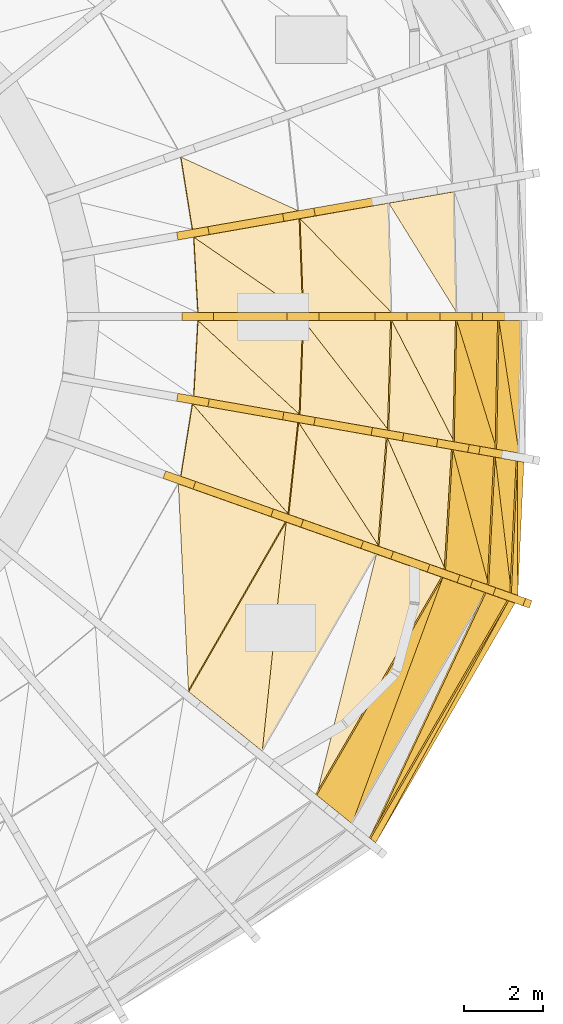
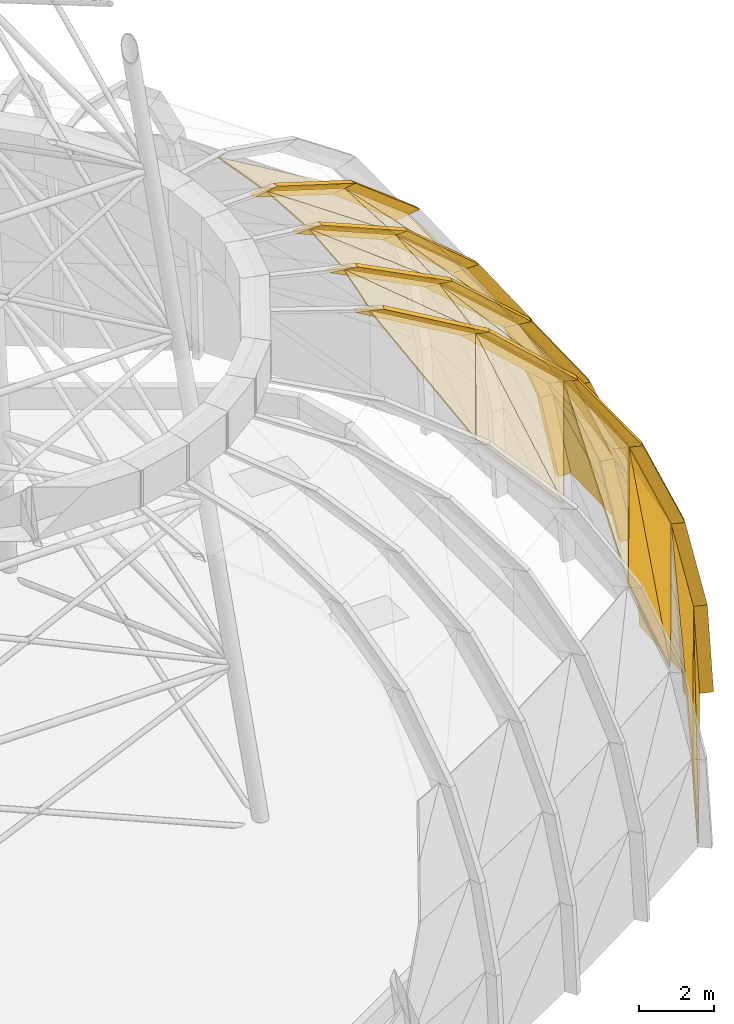
# One storey, part 23 of 27: 37 coverings, 18 shading devices.
"""IFC4 building model written with IfcOpenShell, lengths in metres."""

from ifc_helpers import new_model, si_unit, direction, frame, origin, place, context, subcontext, project, spatial, polyline, outline, extrude, material, layer, layer_set, type_object, element, save


model = new_model("IFC4")

# Units and contexts
model_context = context("Model", 3, precision=1e-05, world=origin(), true_north=direction((0.0, 1.0)))
body_context = subcontext(model_context, "Body", "Model", "MODEL_VIEW")
ifc_project = project(units=[si_unit("LENGTHUNIT", "METRE"), si_unit("AREAUNIT", "SQUARE_METRE"), si_unit("VOLUMEUNIT", "CUBIC_METRE"), si_unit("PLANEANGLEUNIT", "RADIAN"), si_unit("MASSUNIT", "GRAM", prefix="KILO")], contexts=[model_context])

# Site, building, storey
site_placement = place(None, origin())
site = spatial("IfcSite", under=ifc_project, at=site_placement, CompositionType="ELEMENT")
building_placement = place(site_placement, origin())
building = spatial("IfcBuilding", under=site, at=building_placement, Name="Ayvan Gate Tower", CompositionType="ELEMENT")
storey_placement = place(building_placement, frame((0.0, 0.0, 267.699951171875)))
storey = spatial("IfcBuildingStorey", under=building, at=storey_placement, Name="Roof", CompositionType="ELEMENT", Elevation=267.699951171875)

# Shading devices
ifc_material_1 = material(Name="Bronze anodised aluminium", Category="aluminium")
ifc_layer_1 = layer(ifc_material_1, 0.199951171875)
ifc_layer_set_1 = layer_set([ifc_layer_1], Name="Bronze anodised aluminium")
shading_device_type = type_object("IfcShadingDeviceType", Name="Crown frame rib 800 x 200", PredefinedType="USERDEFINED", material=ifc_layer_set_1)
shading_device_1_placement = place(storey_placement, frame((19.670654296875, -7.06982421875, 0.0), z_axis=(-0.333889468927, -0.942612088465, 0.000522704075), x_axis=(0.94261221723, -0.333889514553, -2.6636e-08)))
element("IfcShadingDevice", 1, at=shading_device_1_placement, inside=storey, type_object=shading_device_type, Name="CROWN FRAME rib FD01.1.1", ObjectType="FIN", PredefinedType="USERDEFINED", context=body_context, shape_type="SweptSolid", body=[
    extrude(outline(polyline([(0.0, 0.0), (0.7998197401679006, 0.0), (0.6301440088560943, 2.870117596370955), (-0.1699058612476535, 2.8701175537560824), (0.0, 0.0)])), origin(), (0.0, 0.0, -1.0), 0.199951171875),
])
shading_device_2_placement = place(storey_placement, frame((19.510498046875, -7.01318359375, 2.8701171875), z_axis=(-0.33370586111, -0.94267709645, 0.000538599248), x_axis=(0.942677233167, -0.333705909551, -7.7468e-08)))
element("IfcShadingDevice", 2, at=shading_device_2_placement, inside=storey, type_object=shading_device_type, Name="CROWN FRAME rib FD02.1.1", ObjectType="FIN", PredefinedType="USERDEFINED", context=body_context, shape_type="SweptSolid", body=[
    extrude(outline(polyline([(0.0, 0.0), (0.8000498628663528, 0.0), (0.19371017439672117, 2.776855886524238), (-0.6062582173003077, 2.7768557625741894), (0.0, 0.0)])), origin(), (0.0, 0.0, -1.0), 0.199951171875),
])
shading_device_3_placement = place(storey_placement, frame((18.93896484375, -6.810791015625, 5.64697265625), z_axis=(-0.333705858443, -0.942677088917, 0.000553236739), x_axis=(0.942677233166, -0.333705909554, -7.9573e-08)))
element("IfcShadingDevice", 3, at=shading_device_3_placement, inside=storey, type_object=shading_device_type, Name="CROWN FRAME rib FD03.1.1", ObjectType="FIN", PredefinedType="USERDEFINED", context=body_context, shape_type="SweptSolid", body=[
    extrude(outline(polyline([(0.0, 0.0), (0.8000498628663529, 0.0), (-0.35067086240318274, 2.660156629194281), (-1.150639254100211, 2.660156501875647), (0.0, 0.0)])), origin(), (0.0, 0.0, -1.0), 0.199951171875),
])
shading_device_4_placement = place(storey_placement, frame((17.854248046875, -6.4267578125, 8.30712890625), z_axis=(-0.333705841268, -0.942677040399, 0.000639537448), x_axis=(0.942677233161, -0.333705909568, -9.1986e-08)))
element("IfcShadingDevice", 4, at=shading_device_4_placement, inside=storey, type_object=shading_device_type, Name="CROWN FRAME rib FD04.1.1", ObjectType="FIN", PredefinedType="USERDEFINED", context=body_context, shape_type="SweptSolid", body=[
    extrude(outline(polyline([(0.0, 0.0), (0.8000498628663538, 0.0), (-0.9745870306638214, 2.3798832095474722), (-1.774555422360847, 2.379883062368103), (0.0, 0.0)])), origin(), (0.0, 0.0, -1.0), 0.199951171875),
])
shading_device_5_placement = place(storey_placement, frame((16.181396484375, -5.834716796875, 10.68701171875), z_axis=(-0.33370580561, -0.94267693967, 0.000789123494), x_axis=(0.94267723321, -0.333705909428, 1.13513e-07)))
element("IfcShadingDevice", 5, at=shading_device_5_placement, inside=storey, type_object=shading_device_type, Name="CROWN FRAME rib FD05.1.1", ObjectType="FIN", PredefinedType="USERDEFINED", context=body_context, shape_type="SweptSolid", body=[
    extrude(outline(polyline([(0.0, 0.0), (0.7999683916970411, -2.710505431213761e-20), (-1.6039061211299315, 1.865967559922905), (-2.4039559839962665, 1.865967741545618), (0.0, 0.0)])), origin(), (0.0, 0.0, -1.0), 0.199951171875),
])
shading_device_6_placement = place(storey_placement, frame((13.915283203125, -5.032470703125, 12.552978515625), z_axis=(-0.333569785642, -0.942723758324, 0.001764539042), x_axis=(0.942725225959, -0.333570304944, 0.0)))
element("IfcShadingDevice", 6, at=shading_device_6_placement, inside=storey, type_object=shading_device_type, Name="CROWN FRAME rib FD06.1.1", ObjectType="FIN", PredefinedType="USERDEFINED", context=body_context, shape_type="SweptSolid", body=[
    extrude(outline(polyline([(0.0, 0.0), (0.7999683999734714, 0.0), (-2.0774059264737197, 1.120118931301408), (-2.8773743264471907, 1.120118931301408), (0.0, 0.0)])), origin(), (0.0, 0.0, -1.0), 0.199951171875),
])
shading_device_7_placement = place(storey_placement, frame((19.716796875, -3.5625, 2.8701171875), z_axis=(-0.172905944212, -0.984938185299, 0.00055280829), x_axis=(0.984938335804, -0.172905970586, 8.3095e-08)))
element("IfcShadingDevice", 7, at=shading_device_7_placement, inside=storey, type_object=shading_device_type, Name="CROWN FRAME rib FD02.1.2", ObjectType="FIN", PredefinedType="USERDEFINED", context=body_context, shape_type="SweptSolid", body=[
    extrude(outline(polyline([(0.0, 0.0), (0.7998683566870421, -1.3552527156068805e-20), (0.22901421805486094, 2.7768558740195175), (-0.5708963520039065, 2.7768560069532198), (0.0, 0.0)])), origin(), (0.0, 0.0, -1.0), 0.199951171875),
])
shading_device_8_placement = place(storey_placement, frame((19.154541015625, -3.463623046875, 5.64697265625), z_axis=(-0.173053992386, -0.984912228268, 0.000467254564), x_axis=(0.984912335785, -0.173054011277, 0.0)))
element("IfcShadingDevice", 8, at=shading_device_8_placement, inside=storey, type_object=shading_device_type, Name="CROWN FRAME rib FD03.1.2", ObjectType="FIN", PredefinedType="USERDEFINED", context=body_context, shape_type="SweptSolid", body=[
    extrude(outline(polyline([(0.0, 0.0), (0.7999105790945789, 0.0), (-0.28354588040161405, 2.660156540391785), (-1.0834564594961928, 2.660156540391785), (0.0, 0.0)])), origin(), (0.0, 0.0, -1.0), 0.199951171875),
])
shading_device_9_placement = place(storey_placement, frame((18.08740234375, -3.2763671875, 8.30712890625), z_axis=(-0.172879948893, -0.984942692059, 0.000645469501), x_axis=(0.984942897225, -0.172879984979, -1.14048e-07)))
element("IfcShadingDevice", 9, at=shading_device_9_placement, inside=storey, type_object=shading_device_type, Name="CROWN FRAME rib FD04.1.2", ObjectType="FIN", PredefinedType="USERDEFINED", context=body_context, shape_type="SweptSolid", body=[
    extrude(outline(polyline([(0.0, 0.0), (0.7999105666083078, -1.3552527156068805e-20), (-0.8710472998850983, 2.3798832089255724), (-1.6711561240403414, 2.3798830264470636), (0.0, 0.0)])), origin(), (0.0, 0.0, -1.0), 0.199951171875),
])
shading_device_10_placement = place(storey_placement, frame((16.44140625, -2.987548828125, 10.68701171875), z_axis=(-0.172731866087, -0.984968370663, 0.001005600561), x_axis=(0.984968868684, -0.172731953397, 2.6501e-08)))
element("IfcShadingDevice", 10, at=shading_device_10_placement, inside=storey, type_object=shading_device_type, Name="CROWN FRAME rib FD05.1.2", ObjectType="FIN", PredefinedType="USERDEFINED", context=body_context, shape_type="SweptSolid", body=[
    extrude(outline(polyline([(0.0, 0.0), (0.8001088363606063, 2.710505431213761e-20), (-1.4634839982143975, 1.8659677791223548), (-2.2633523636597976, 1.86596782152305), (0.0, 0.0)])), origin(), (0.0, 0.0, -1.0), 0.199951171875),
])
shading_device_11_placement = place(storey_placement, frame((14.212158203125, -2.59619140625, 12.552978515625), z_axis=(-0.173027907781, -0.984916353372, 0.001058296023), x_axis=(0.984916904915, -0.173028004705, -2.7944e-08)))
element("IfcShadingDevice", 11, at=shading_device_11_placement, inside=storey, type_object=shading_device_type, Name="CROWN FRAME rib FD06.1.2", ObjectType="FIN", PredefinedType="USERDEFINED", context=body_context, shape_type="SweptSolid", body=[
    extrude(outline(polyline([(0.0, 0.0), (0.7999105788157221, 0.0), (-1.909375527405906, 1.1201177614047833), (-2.709526564450367, 1.12011771669229), (0.0, 0.0)])), origin(), (0.0, 0.0, -1.0), 0.199951171875),
])
shading_device_12_placement = place(storey_placement, frame((19.8017578125, -0.099853515625, 2.8701171875), z_axis=(0.0, -0.999999860862, 0.000527518829), x_axis=(1.0, 0.0, 0.0)))
element("IfcShadingDevice", 12, at=shading_device_12_placement, inside=storey, type_object=shading_device_type, Name="CROWN FRAME rib FD02.1.3", ObjectType="FIN", PredefinedType="USERDEFINED", context=body_context, shape_type="SweptSolid", body=[
    extrude(outline(polyline([(0.0, 0.0), (0.800048828125, 0.0), (0.240966796875, 2.776855855116357), (-0.558837890625, 2.776855855116357), (0.0, 0.0)])), origin(), (0.0, 0.0, -1.0), 0.199951171875),
])
shading_device_13_placement = place(storey_placement, frame((19.242919921875, -0.099853515625, 5.64697265625), z_axis=(0.0, -0.999999848386, 0.000550660709), x_axis=(1.0, 0.0, 0.0)))
element("IfcShadingDevice", 13, at=shading_device_13_placement, inside=storey, type_object=shading_device_type, Name="CROWN FRAME rib FD03.1.3", ObjectType="FIN", PredefinedType="USERDEFINED", context=body_context, shape_type="SweptSolid", body=[
    extrude(outline(polyline([(0.0, 0.0), (0.7998046875, 0.0), (-0.260986328125, 2.6601566533159797), (-1.06103515625, 2.6601566533159797), (0.0, 0.0)])), origin(), (0.0, 0.0, -1.0), 0.199951171875),
])
shading_device_14_placement = place(storey_placement, frame((18.181884765625, -0.099853515625, 8.30712890625), z_axis=(0.0, -0.999999810573, 0.000615510757), x_axis=(1.0, 0.0, 0.0)))
element("IfcShadingDevice", 14, at=shading_device_14_placement, inside=storey, type_object=shading_device_type, Name="CROWN FRAME rib FD04.1.3", ObjectType="FIN", PredefinedType="USERDEFINED", context=body_context, shape_type="SweptSolid", body=[
    extrude(outline(polyline([(0.0, 0.0), (0.800048828125, 0.0), (-0.836181640625, 2.3798832633135856), (-1.63623046875, 2.3798832633135856), (0.0, 0.0)])), origin(), (0.0, 0.0, -1.0), 0.199951171875),
])
shading_device_15_placement = place(storey_placement, frame((16.545654296875, -0.099853515625, 10.68701171875), z_axis=(0.0, -0.999999691862, 0.000785031814), x_axis=(1.0, 0.0, 0.0)))
element("IfcShadingDevice", 15, at=shading_device_15_placement, inside=storey, type_object=shading_device_type, Name="CROWN FRAME rib FD05.1.3", ObjectType="FIN", PredefinedType="USERDEFINED", context=body_context, shape_type="SweptSolid", body=[
    extrude(outline(polyline([(0.0, 0.0), (0.800048828125, 0.0), (-1.416259765625, 1.8659673718495613), (-2.21630859375, 1.8659673718495613), (0.0, 0.0)])), origin(), (0.0, 0.0, -1.0), 0.199951171875),
])
shading_device_16_placement = place(storey_placement, frame((14.329345703125, -0.099853515625, 12.552978515625), z_axis=(0.0, -0.999999144884, 0.001307758254), x_axis=(1.0, 0.0, 0.0)))
element("IfcShadingDevice", 16, at=shading_device_16_placement, inside=storey, type_object=shading_device_type, Name="CROWN FRAME rib FD06.1.3", ObjectType="FIN", PredefinedType="USERDEFINED", context=body_context, shape_type="SweptSolid", body=[
    extrude(outline(polyline([(0.0, 0.0), (0.800048828125, 0.0), (-1.85302734375, 1.1201181453311617), (-2.653076171875, 1.1201181453311617), (0.0, 0.0)])), origin(), (0.0, 0.0, -1.0), 0.199951171875),
])
shading_device_17_placement = place(storey_placement, frame((16.47607421875, 2.790771484375, 10.68701171875), z_axis=(0.172731923759, -0.984968699525, 0.000586063141), x_axis=(0.984968868677, 0.172731953432, 1.5449e-08)))
element("IfcShadingDevice", 17, at=shading_device_17_placement, inside=storey, type_object=shading_device_type, Name="CROWN FRAME rib FD05.1.4", ObjectType="FIN", PredefinedType="USERDEFINED", context=body_context, shape_type="SweptSolid", body=[
    extrude(outline(polyline([(0.0, 0.0), (0.7998683654454014, 1.3552527156068805e-20), (-1.4634589100218, 1.8659671399363018), (-2.2635677463824058, 1.8659671646548193), (0.0, 0.0)])), origin(), (0.0, 0.0, -1.0), 0.199951171875),
])
shading_device_18_placement = place(storey_placement, frame((14.24658203125, 2.3994140625, 12.552978515625), z_axis=(0.17273188863, -0.984968499208, 0.00086615117), x_axis=(0.984968868682, 0.172731953403, -2.2826e-08)))
element("IfcShadingDevice", 18, at=shading_device_18_placement, inside=storey, type_object=shading_device_type, Name="CROWN FRAME rib FD06.1.4", ObjectType="FIN", PredefinedType="USERDEFINED", context=body_context, shape_type="SweptSolid", body=[
    extrude(outline(polyline([(0.0, 0.0), (0.8001088363606063, 0.0), (-1.9093921411837125, 1.1201175640826506), (-2.709260506629113, 1.1201175275617765), (0.0, 0.0)])), origin(), (0.0, 0.0, -1.0), 0.199951171875),
])

# Coverings
ifc_material_2 = material(Name="Pale metal cladding")
ifc_layer_2 = layer(ifc_material_2, 0.0400390625)
ifc_layer_set_2 = layer_set([ifc_layer_2], Name="Pale metal cladding")
covering_type = type_object("IfcCoveringType", Name="Dome cladding panel 40", PredefinedType="CLADDING", material=ifc_layer_set_2)
covering_1_placement = place(storey_placement, frame((16.558837890625, -13.24755859375, 0.001220703125), z_axis=(0.863181640334, -0.501543596733, 0.05806441566), x_axis=(0.502391211813, 0.864640428324, 0.0)))
element("IfcCovering", 19, at=covering_1_placement, inside=storey, type_object=covering_type, Name="Dome cladding panel 13.1A", PredefinedType="CLADDING", context=body_context, shape_type="SweptSolid", body=[
    extrude(outline(polyline([(0.0, 0.0), (6.978831303543279, 2.7755575615628914e-17), (6.947343985286933, 2.8749677221816574), (0.0, 0.0)])), origin(), (0.0, 0.0, -1.0), 0.0400390625),
])
covering_2_placement = place(storey_placement, frame((16.558837890625, -13.24755859375, 0.001220703125), z_axis=(0.863242585166, -0.501465945558, 0.057828579455), x_axis=(0.445016025785, 0.810088275175, 0.381729908729)))
element("IfcCovering", 20, at=covering_2_placement, inside=storey, type_object=covering_type, Name="Dome cladding panel 13.1B", PredefinedType="CLADDING", context=body_context, shape_type="SweptSolid", body=[
    extrude(outline(polyline([(0.0, 0.0), (7.518711848015518, 0.0), (1.1230118262559434, 2.6466424955671455), (0.0, 0.0)])), origin(), (0.0, 0.0, -1.0), 0.0400390625),
])
covering_3_placement = place(storey_placement, frame((16.427490234375, -13.1416015625, 2.874267578125), z_axis=(0.845444321401, -0.491126762434, 0.209805630601), x_axis=(0.50230654177, 0.864689619514, 0.0)))
element("IfcCovering", 21, at=covering_3_placement, inside=storey, type_object=covering_type, Name="Dome cladding panel 13.2A", PredefinedType="CLADDING", context=body_context, shape_type="SweptSolid", body=[
    extrude(outline(polyline([(0.0, 0.0), (6.921682979426124, 0.0), (6.809604874028896, 2.8400665046036786), (0.0, 0.0)])), origin(), (0.0, 0.0, -1.0), 0.0400390625),
])
covering_4_placement = place(storey_placement, frame((15.95947265625, -12.763671875, 5.65478515625), z_axis=(0.795929068269, -0.461978662913, 0.391244978623), x_axis=(0.501994356023, 0.864870895869, 0.0)))
element("IfcCovering", 22, at=covering_4_placement, inside=storey, type_object=covering_type, Name="Dome cladding panel 13.3A", PredefinedType="CLADDING", context=body_context, shape_type="SweptSolid", body=[
    extrude(outline(polyline([(0.0, 0.0), (6.717833403230836, 2.220446049250313e-16), (6.505450833746291, 2.890573809664512), (0.0, 0.0)])), origin(), (0.0, 0.0, -1.0), 0.0400390625),
])
covering_5_placement = place(storey_placement, frame((15.95947265625, -12.763671875, 5.65478515625), z_axis=(0.796821984124, -0.461678735732, 0.389778745687), x_axis=(0.321349154479, 0.870111995547, 0.373684139509)))
element("IfcCovering", 23, at=covering_5_placement, inside=storey, type_object=covering_type, Name="Dome cladding panel 13.3B", PredefinedType="CLADDING", context=body_context, shape_type="SweptSolid", body=[
    extrude(outline(polyline([(0.0, 0.0), (7.11872934584598, 0.0), (1.332537487370208, 2.568905908044922), (0.0, 0.0)])), origin(), (0.0, 0.0, -1.0), 0.0400390625),
])
covering_6_placement = place(storey_placement, frame((15.0712890625, -12.046142578125, 8.31884765625), z_axis=(0.69786895953, -0.404345343579, 0.591171513564), x_axis=(0.501329630795, 0.865256378935, 0.0)))
element("IfcCovering", 24, at=covering_6_placement, inside=storey, type_object=covering_type, Name="Dome cladding panel 13.4A", PredefinedType="CLADDING", context=body_context, shape_type="SweptSolid", body=[
    extrude(outline(polyline([(0.0, 0.0), (6.330820941037537, 2.220446049250313e-16), (6.004649394428012, 2.9507098095014426), (0.0, 0.0)])), origin(), (0.0, 0.0, -1.0), 0.0400390625),
])
covering_7_placement = place(storey_placement, frame((13.700927734375, -10.939697265625, 10.70263671875), z_axis=(0.536615283301, -0.309954095492, 0.784839153213), x_axis=(0.500168359116, 0.865928179781, 0.0)))
element("IfcCovering", 25, at=covering_7_placement, inside=storey, type_object=covering_type, Name="Dome cladding panel 13.5A", PredefinedType="CLADDING", context=body_context, shape_type="SweptSolid", body=[
    extrude(outline(polyline([(0.0, 0.0), (5.7343972488927974, 0.0), (5.295557290304376, 3.0110831395096103), (0.0, 0.0)])), origin(), (0.0, 0.0, -1.0), 0.0400390625),
])
covering_8_placement = place(storey_placement, frame((13.700927734375, -10.939697265625, 10.70263671875), z_axis=(0.539068319443, -0.309698524077, 0.783257410535), x_axis=(0.098870416848, 0.946783432358, 0.306309929458)))
element("IfcCovering", 26, at=covering_8_placement, inside=storey, type_object=covering_type, Name="Dome cladding panel 13.5B", PredefinedType="CLADDING", context=body_context, shape_type="SweptSolid", body=[
    extrude(outline(polyline([(0.0, 0.0), (6.091760721493818, 0.0), (1.80520732577896, 2.427008317315837), (0.0, 0.0)])), origin(), (0.0, 0.0, -1.0), 0.0400390625),
])
covering_9_placement = place(storey_placement, frame((11.844970703125, -9.44091796875, 12.571533203125), z_axis=(0.319075195052, -0.183310933722, 0.929832308258), x_axis=(0.498149831891, 0.867090966962, 0.0)))
element("IfcCovering", 27, at=covering_9_placement, inside=storey, type_object=covering_type, Name="Dome cladding panel 13.6A", PredefinedType="CLADDING", context=body_context, shape_type="SweptSolid", body=[
    extrude(outline(polyline([(0.0, 0.0), (4.925942487142418, 0.0), (4.407556557386187, 3.0439329358153833), (0.0, 0.0)])), origin(), (0.0, 0.0, -1.0), 0.0400390625),
])
covering_10_placement = place(storey_placement, frame((20.13427734375, -7.015869140625, 0.001220703125), z_axis=(0.997426787412, -0.045789472743, 0.055164553275), x_axis=(0.045859303774, 0.998947908681, 0.0)))
element("IfcCovering", 28, at=covering_10_placement, inside=storey, type_object=covering_type, Name="Dome cladding panel 14.1A", PredefinedType="CLADDING", context=body_context, shape_type="SweptSolid", body=[
    extrude(outline(polyline([(0.0, 0.0), (3.3592471253653264, 0.0), (3.3795844941999205, 2.874494246900421), (0.0, 0.0)])), origin(), (0.0, 0.0, -1.0), 0.0400390625),
])
covering_11_placement = place(storey_placement, frame((20.13427734375, -7.015869140625, 0.001220703125), z_axis=(0.997300173512, -0.046915412536, 0.056491662926), x_axis=(-0.000770385333, 0.762571424799, 0.646903569774)))
element("IfcCovering", 29, at=covering_11_placement, inside=storey, type_object=covering_type, Name="Dome cladding panel 14.1B", PredefinedType="CLADDING", context=body_context, shape_type="SweptSolid", body=[
    extrude(outline(polyline([(0.0, 0.0), (4.4367001846981, -4.440892098500626e-16), (1.9000047703160503, 2.1578541623298633), (0.0, 0.0)])), origin(), (0.0, 0.0, -1.0), 0.0400390625),
])
covering_12_placement = place(storey_placement, frame((19.973876953125, -6.959228515625, 2.8740234375), z_axis=(0.978734947432, -0.046042059394, 0.199895051071), x_axis=(0.046990452957, 0.998895338527, 0.0)))
element("IfcCovering", 30, at=covering_12_placement, inside=storey, type_object=covering_type, Name="Dome cladding panel 14.2A", PredefinedType="CLADDING", context=body_context, shape_type="SweptSolid", body=[
    extrude(outline(polyline([(0.0, 0.0), (3.3303390534945883, -6.938893903907228e-18), (3.4024307803381766, 2.8340542971067357), (0.0, 0.0)])), origin(), (0.0, 0.0, -1.0), 0.0400390625),
])
covering_13_placement = place(storey_placement, frame((19.973876953125, -6.959228515625, 2.874267578125), z_axis=(0.97750507755, -0.050204411982, 0.204849555484), x_axis=(-0.091687732776, 0.773529098521, 0.627093368965)))
element("IfcCovering", 31, at=covering_13_placement, inside=storey, type_object=covering_type, Name="Dome cladding panel 14.2B", PredefinedType="CLADDING", context=body_context, shape_type="SweptSolid", body=[
    extrude(outline(polyline([(0.0, 0.0), (4.4281371900542785, 0.0), (1.9503067831319343, 2.067569274280975), (0.0, 0.0)])), origin(), (0.0, 0.0, -1.0), 0.0400390625),
])
covering_14_placement = place(storey_placement, frame((19.4013671875, -6.7568359375, 5.654541015625), z_axis=(0.925893458201, -0.047553652349, 0.374779874339), x_axis=(0.051292140222, 0.998683691842, 0.0)))
element("IfcCovering", 32, at=covering_14_placement, inside=storey, type_object=covering_type, Name="Dome cladding panel 14.3A", PredefinedType="CLADDING", context=body_context, shape_type="SweptSolid", body=[
    extrude(outline(polyline([(0.0, 0.0), (3.227148312275051, 0.0), (3.359665678101455, 2.8692876497799302), (0.0, 0.0)])), origin(), (0.0, 0.0, -1.0), 0.0400390625),
])
covering_15_placement = place(storey_placement, frame((19.4013671875, -6.757080078125, 5.654541015625), z_axis=(0.921695401562, -0.055765694673, 0.383885105255), x_axis=(-0.204069272648, 0.771904595079, 0.602095530674)))
element("IfcCovering", 33, at=covering_15_placement, inside=storey, type_object=covering_type, Name="Dome cladding panel 14.3B", PredefinedType="CLADDING", context=body_context, shape_type="SweptSolid", body=[
    extrude(outline(polyline([(0.0, 0.0), (4.41816308954214, -2.220446049250313e-16), (2.119462550941033, 1.9769678298085178), (0.0, 0.0)])), origin(), (0.0, 0.0, -1.0), 0.0400390625),
])
covering_16_placement = place(storey_placement, frame((18.314453125, -6.372802734375, 8.318603515625), z_axis=(0.818661086861, -0.049531769534, 0.572136896788), x_axis=(0.060392950139, 0.99817467989, 0.0)))
element("IfcCovering", 34, at=covering_16_placement, inside=storey, type_object=covering_type, Name="Dome cladding panel 14.4A", PredefinedType="CLADDING", context=body_context, shape_type="SweptSolid", body=[
    extrude(outline(polyline([(0.0, 0.0), (3.031901378056816, 1.3877787807814457e-17), (3.220800735826813, 2.9017365093670744), (0.0, 0.0)])), origin(), (0.0, 0.0, -1.0), 0.0400390625),
])
covering_17_placement = place(storey_placement, frame((18.314208984375, -6.373046875, 8.31884765625), z_axis=(0.809081625617, -0.062532803845, 0.584359967427), x_axis=(-0.337391401716, 0.764720054064, 0.54897202202)))
element("IfcCovering", 35, at=covering_17_placement, inside=storey, type_object=covering_type, Name="Dome cladding panel 14.4B", PredefinedType="CLADDING", context=body_context, shape_type="SweptSolid", body=[
    extrude(outline(polyline([(0.0, 0.0), (4.335162297964905, 2.220446049250313e-16), (2.3239095209398712, 1.847522037175025), (0.0, 0.0)])), origin(), (0.0, 0.0, -1.0), 0.0400390625),
])
covering_18_placement = place(storey_placement, frame((16.6376953125, -5.780517578125, 10.702392578125), z_axis=(0.635995466836, -0.049155213164, 0.770125659346), x_axis=(0.077058807993, 0.997026549351, 0.0)))
element("IfcCovering", 36, at=covering_18_placement, inside=storey, type_object=covering_type, Name="Dome cladding panel 14.5A", PredefinedType="CLADDING", context=body_context, shape_type="SweptSolid", body=[
    extrude(outline(polyline([(0.0, 0.0), (2.7310209466311797, 0.0), (2.9494314893142772, 2.925207070967365), (0.0, 0.0)])), origin(), (0.0, 0.0, -1.0), 0.0400390625),
])
covering_19_placement = place(storey_placement, frame((16.637451171875, -5.78076171875, 10.70263671875), z_axis=(0.620212924757, -0.066278297767, 0.781628502045), x_axis=(-0.485985372633, 0.749695176358, 0.449194122994)))
element("IfcCovering", 37, at=covering_19_placement, inside=storey, type_object=covering_type, Name="Dome cladding panel 14.5B", PredefinedType="CLADDING", context=body_context, shape_type="SweptSolid", body=[
    extrude(outline(polyline([(0.0, 0.0), (4.15403207958197, 1.1102230246251565e-16), (2.540800604238226, 1.6744927990040517), (0.0, 0.0)])), origin(), (0.0, 0.0, -1.0), 0.0400390625),
])
covering_20_placement = place(storey_placement, frame((14.36669921875, -4.97802734375, 12.571533203125), z_axis=(0.380619330962, -0.040674420584, 0.923836845124), x_axis=(0.106258772182, 0.994338510435, 0.0)))
element("IfcCovering", 38, at=covering_20_placement, inside=storey, type_object=covering_type, Name="Dome cladding panel 14.6A", PredefinedType="CLADDING", context=body_context, shape_type="SweptSolid", body=[
    extrude(outline(polyline([(0.0, 0.0), (2.3251756765793368, 0.0), (2.50721342665181, 2.926219361786666), (0.0, 0.0)])), origin(), (0.0, 0.0, -1.0), 0.0400390625),
])
covering_21_placement = place(storey_placement, frame((14.366455078125, -4.978515625, 12.571533203125), z_axis=(0.363423306712, -0.058059980992, 0.929813174109), x_axis=(-0.628436077622, 0.721507213626, 0.290680988419)))
element("IfcCovering", 39, at=covering_21_placement, inside=storey, type_object=covering_type, Name="Dome cladding panel 14.6B", PredefinedType="CLADDING", context=body_context, shape_type="SweptSolid", body=[
    extrude(outline(polyline([(0.0, 0.0), (3.853424310931549, -3.885780586188048e-16), (2.7229631514744783, 1.455765934442285), (0.0, 0.0)])), origin(), (0.0, 0.0, -1.0), 0.0400390625),
])
covering_22_placement = place(storey_placement, frame((20.164794921875, -3.434814453125, 2.8740234375), z_axis=(0.980192053182, -0.016648697294, 0.197348320889), x_axis=(0.016982688471, 0.999855783747, 0.0)))
element("IfcCovering", 40, at=covering_22_placement, inside=storey, type_object=covering_type, Name="Dome cladding panel 15.2A", PredefinedType="CLADDING", context=body_context, shape_type="SweptSolid", body=[
    extrude(outline(polyline([(0.0, 0.0), (3.335197786602865, -1.734723475976807e-18), (3.3257030706362523, 2.832562243334137), (0.0, 0.0)])), origin(), (0.0, 0.0, -1.0), 0.0400390625),
])
covering_23_placement = place(storey_placement, frame((20.164794921875, -3.434814453125, 2.8740234375), z_axis=(0.979824512655, -0.018110675639, 0.19903750357), x_axis=(-0.115014877405, 0.763356759219, 0.635655595531)))
element("IfcCovering", 41, at=covering_23_placement, inside=storey, type_object=covering_type, Name="Dome cladding panel 15.2B", PredefinedType="CLADDING", context=body_context, shape_type="SweptSolid", body=[
    extrude(outline(polyline([(0.0, 0.0), (4.368490560411172, 0.0), (1.9050835295308306, 2.09939113148082), (0.0, 0.0)])), origin(), (0.0, 0.0, -1.0), 0.0400390625),
])
covering_24_placement = place(storey_placement, frame((19.6015625, -3.336181640625, 5.654296875), z_axis=(0.928703885885, -0.017165782878, 0.37042465933), x_axis=(0.01848043451, 0.999829222188, 0.0)))
element("IfcCovering", 42, at=covering_24_placement, inside=storey, type_object=covering_type, Name="Dome cladding panel 15.3A", PredefinedType="CLADDING", context=body_context, shape_type="SweptSolid", body=[
    extrude(outline(polyline([(0.0, 0.0), (3.2366367301152312, -3.469446951953614e-18), (3.217028339396872, 2.863885889525971), (0.0, 0.0)])), origin(), (0.0, 0.0, -1.0), 0.0400390625),
])
covering_25_placement = place(storey_placement, frame((19.6015625, -3.33642578125, 5.654541015625), z_axis=(0.927431003424, -0.020051759363, 0.373456370723), x_axis=(-0.232458176888, 0.751337023813, 0.617621140058)))
element("IfcCovering", 43, at=covering_25_placement, inside=storey, type_object=covering_type, Name="Dome cladding panel 15.3B", PredefinedType="CLADDING", context=body_context, shape_type="SweptSolid", body=[
    extrude(outline(polyline([(0.0, 0.0), (4.3071003847958504, 2.220446049250313e-16), (2.0317261060817415, 2.0303620381994425), (0.0, 0.0)])), origin(), (0.0, 0.0, -1.0), 0.0400390625),
])
covering_26_placement = place(storey_placement, frame((18.5322265625, -3.14892578125, 8.318359375), z_axis=(0.823901308401, -0.017813369096, 0.566453279535), x_axis=(0.021615704309, 0.999766353368, 0.0)))
element("IfcCovering", 44, at=covering_26_placement, inside=storey, type_object=covering_type, Name="Dome cladding panel 15.4A", PredefinedType="CLADDING", context=body_context, shape_type="SweptSolid", body=[
    extrude(outline(polyline([(0.0, 0.0), (3.0495406398989244, -6.938893903907228e-18), (3.0141723659052273, 2.887878361928262), (0.0, 0.0)])), origin(), (0.0, 0.0, -1.0), 0.0400390625),
])
covering_27_placement = place(storey_placement, frame((18.5322265625, -3.149169921875, 8.318603515625), z_axis=(0.820963430904, -0.022514036056, 0.570536732647), x_axis=(-0.376182632471, 0.730374489163, 0.570122559286)))
element("IfcCovering", 45, at=covering_27_placement, inside=storey, type_object=covering_type, Name="Dome cladding panel 15.4B", PredefinedType="CLADDING", context=body_context, shape_type="SweptSolid", body=[
    extrude(outline(polyline([(0.0, 0.0), (4.174335454258579, 4.440892098500626e-16), (2.187143899220748, 1.916534381345893), (0.0, 0.0)])), origin(), (0.0, 0.0, -1.0), 0.0400390625),
])
covering_28_placement = place(storey_placement, frame((16.8828125, -2.85986328125, 10.702392578125), z_axis=(0.643996361131, -0.017660905162, 0.764824672248), x_axis=(0.027413614175, 0.999624176257, 0.0)))
element("IfcCovering", 46, at=covering_28_placement, inside=storey, type_object=covering_type, Name="Dome cladding panel 15.5A", PredefinedType="CLADDING", context=body_context, shape_type="SweptSolid", body=[
    extrude(outline(polyline([(0.0, 0.0), (2.7608032003919725, -1.3877787807814457e-17), (2.700052864485988, 2.8963914003689943), (0.0, 0.0)])), origin(), (0.0, 0.0, -1.0), 0.0400390625),
])
covering_29_placement = place(storey_placement, frame((16.882568359375, -2.860107421875, 10.702392578125), z_axis=(0.639195898867, -0.023983847767, 0.768669875771), x_axis=(-0.540538675868, 0.696960099465, 0.471237264704)))
element("IfcCovering", 47, at=covering_29_placement, inside=storey, type_object=covering_type, Name="Dome cladding panel 15.5B", PredefinedType="CLADDING", context=body_context, shape_type="SweptSolid", body=[
    extrude(outline(polyline([(0.0, 0.0), (3.959718249465541, -3.3306690738754696e-16), (2.357068384501676, 1.7460722218669118), (0.0, 0.0)])), origin(), (0.0, 0.0, -1.0), 0.0400390625),
])
covering_30_placement = place(storey_placement, frame((14.6484375, -2.468505859375, 12.5712890625), z_axis=(0.388909836766, -0.014592637932, 0.921160243272), x_axis=(0.037495519396, 0.999296795765, 0.0)))
element("IfcCovering", 48, at=covering_30_placement, inside=storey, type_object=covering_type, Name="Dome cladding panel 15.6A", PredefinedType="CLADDING", context=body_context, shape_type="SweptSolid", body=[
    extrude(outline(polyline([(0.0, 0.0), (2.3700748497977764, 0.0), (2.2705963807368033, 2.878120866415638), (0.0, 0.0)])), origin(), (0.0, 0.0, -1.0), 0.0400390625),
])
covering_31_placement = place(storey_placement, frame((14.648193359375, -2.46875, 12.571533203125), z_axis=(0.383779014585, -0.021104640658, 0.923183763996), x_axis=(-0.699466482618, 0.646055826705, 0.305546246049)))
element("IfcCovering", 49, at=covering_31_placement, inside=storey, type_object=covering_type, Name="Dome cladding panel 15.6B", PredefinedType="CLADDING", context=body_context, shape_type="SweptSolid", body=[
    extrude(outline(polyline([(0.0, 0.0), (3.6659497604184614, 0.0), (2.511437835447273, 1.5128045129594667), (0.0, 0.0)])), origin(), (0.0, 0.0, -1.0), 0.0400390625),
])
covering_32_placement = place(storey_placement, frame((18.59814453125, 0.100341796875, 8.318603515625), z_axis=(0.821314048361, 0.017758852651, 0.570199839633), x_axis=(-0.021617434557, 0.999766315957, 0.0)))
element("IfcCovering", 50, at=covering_32_placement, inside=storey, type_object=covering_type, Name="Dome cladding panel 16.4A", PredefinedType="CLADDING", context=body_context, shape_type="SweptSolid", body=[
    extrude(outline(polyline([(0.0, 0.0), (3.049296556321126, 6.938893903907228e-18), (2.7961279020249923, 2.8969754950753592), (0.0, 0.0)])), origin(), (0.0, 0.0, -1.0), 0.0400390625),
])
covering_33_placement = place(storey_placement, frame((16.958251953125, 0.100341796875, 10.702392578125), z_axis=(0.639947411358, 0.017549867084, 0.768218271627), x_axis=(-0.027413614175, 0.999624176257, 0.0)))
element("IfcCovering", 51, at=covering_33_placement, inside=storey, type_object=covering_type, Name="Dome cladding panel 16.5A", PredefinedType="CLADDING", context=body_context, shape_type="SweptSolid", body=[
    extrude(outline(polyline([(0.0, 0.0), (2.7608032003919725, 0.0), (2.4307046057865365, 2.9147168800815138), (0.0, 0.0)])), origin(), (0.0, 0.0, -1.0), 0.0400390625),
])
covering_34_placement = place(storey_placement, frame((16.95849609375, 0.1005859375, 10.702392578125), z_axis=(0.643908798744, 0.024160684748, 0.764720681172), x_axis=(-0.6073205971, 0.624045875698, 0.491658862793)))
element("IfcCovering", 52, at=covering_34_placement, inside=storey, type_object=covering_type, Name="Dome cladding panel 16.5B", PredefinedType="CLADDING", context=body_context, shape_type="SweptSolid", body=[
    extrude(outline(polyline([(0.0, 0.0), (3.795246944748654, 0.0), (2.263280700244649, 1.8084065415011763), (0.0, 0.0)])), origin(), (0.0, 0.0, -1.0), 0.0400390625),
])
covering_35_placement = place(storey_placement, frame((14.7373046875, 0.100341796875, 12.571533203125), z_axis=(0.384819320943, 0.014439153987, 0.922878974222), x_axis=(-0.037495519396, 0.999296795765, 0.0)))
element("IfcCovering", 53, at=covering_35_placement, inside=storey, type_object=covering_type, Name="Dome cladding panel 16.6A", PredefinedType="CLADDING", context=body_context, shape_type="SweptSolid", body=[
    extrude(outline(polyline([(0.0, 0.0), (2.3700748497977764, 0.0), (2.0019627822789663, 2.9087144418996593), (0.0, 0.0)])), origin(), (0.0, 0.0, -1.0), 0.0400390625),
])
covering_36_placement = place(storey_placement, frame((14.7373046875, 0.1005859375, 12.5712890625), z_axis=(0.388862288155, 0.021386926154, 0.921047621049), x_axis=(-0.780943515871, 0.538052451572, 0.317217251068)))
element("IfcCovering", 54, at=covering_36_placement, inside=storey, type_object=covering_type, Name="Dome cladding panel 16.6B", PredefinedType="CLADDING", context=body_context, shape_type="SweptSolid", body=[
    extrude(outline(polyline([(0.0, 0.0), (3.5310727387220138, -2.220446049250313e-16), (2.4272231286317587, 1.5498592101668045), (0.0, 0.0)])), origin(), (0.0, 0.0, -1.0), 0.0400390625),
])
covering_37_placement = place(storey_placement, frame((14.613525390625, 2.666748046875, 12.571533203125), z_axis=(0.377325538213, 0.060280981356, 0.924116681755), x_axis=(-0.860065811545, 0.392816131731, 0.325549207439)))
element("IfcCovering", 55, at=covering_37_placement, inside=storey, type_object=covering_type, Name="Dome cladding panel 17.6B", PredefinedType="CLADDING", context=body_context, shape_type="SweptSolid", body=[
    extrude(outline(polyline([(0.0, 0.0), (3.4407000905088054, 5.551115123125783e-17), (2.4756652654102114, 1.5703199276805253), (0.0, 0.0)])), origin(), (0.0, 0.0, -1.0), 0.0400390625),
])

save(model, "model.ifc")
